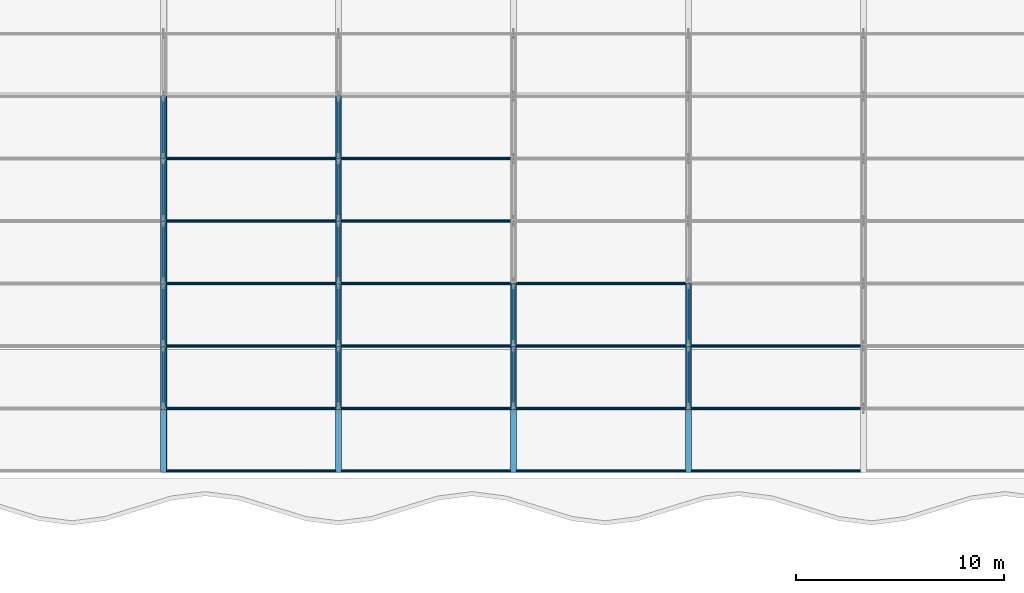
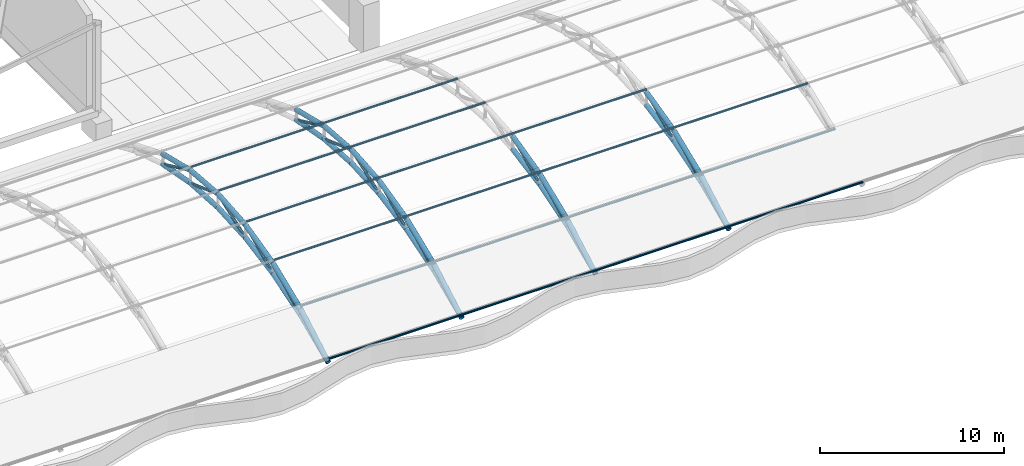
# One storey, part 46 of 163: 69 members.
"""IFC4 building model written with IfcOpenShell, lengths in metres."""

from ifc_helpers import new_model, si_unit, direction, frame, origin, origin_2d, place, context, subcontext, project, spatial, hollow_circle, extrude, material, material_profile, profile_set, type_object, element, save


model = new_model("IFC4")

# Units and contexts
model_context = context("Model", 3, precision=1e-05, world=origin(), true_north=direction((0.0, 1.0)))
body_context = subcontext(model_context, "Body", "Model", "MODEL_VIEW")
ifc_project = project(units=[si_unit("LENGTHUNIT", "METRE"), si_unit("AREAUNIT", "SQUARE_METRE"), si_unit("VOLUMEUNIT", "CUBIC_METRE"), si_unit("PLANEANGLEUNIT", "RADIAN"), si_unit("MASSUNIT", "GRAM", prefix="KILO")], contexts=[model_context])

# Site, building, storey
site_placement = place(None, origin())
site = spatial("IfcSite", under=ifc_project, at=site_placement, CompositionType="ELEMENT")
building_placement = place(site_placement, origin())
building = spatial("IfcBuilding", under=site, at=building_placement, Name="Rain Tree Exposition and Congress Centre", CompositionType="ELEMENT")
storey_placement = place(building_placement, frame((0.0, 0.0, 10.5)))
storey = spatial("IfcBuildingStorey", under=building, at=storey_placement, Name="L02", CompositionType="ELEMENT", Elevation=10.5)

# Members
ifc_material_1 = material(Name="Steel S355J2H", Category="steel")
ifc_material_profile_1 = material_profile(ifc_material_1, hollow_circle(Radius=0.090087890625, WallThickness=0.008056640625, at=origin_2d()), Name="CHS 180x8")
ifc_profile_set_1 = profile_set([ifc_material_profile_1], Name="Steel S355J2H")
member_type_1 = type_object("IfcMemberType", Name="Steel brace member CHS 180x8", PredefinedType="BRACE", material=ifc_profile_set_1)
member_1_placement = place(storey_placement, frame((126.0, 78.60009765625, 1.4423828125), z_axis=(0.0, 0.880818418444, 0.473454236151), x_axis=(-1.0, 0.0, 0.0)))
element("IfcMember", 1, at=member_1_placement, inside=storey, type_object=member_type_1, Name="Roof truss 16 diagonal 1", PredefinedType="BRACE", context=body_context, shape_type="SweptSolid", body=[
    extrude(hollow_circle(Radius=0.090087890625, WallThickness=0.008056640625, at=origin_2d()), origin(), (0.0, 0.0, 1.0), 3.406005859375),
])
member_2_placement = place(storey_placement, frame((126.0, 81.60009765625, 2.3798828125), z_axis=(0.0, 0.905430616583, 0.424494285655), x_axis=(-1.0, 0.0, 0.0)))
element("IfcMember", 2, at=member_2_placement, inside=storey, type_object=member_type_1, Name="Roof truss 16 diagonal 2", PredefinedType="BRACE", context=body_context, shape_type="SweptSolid", body=[
    extrude(hollow_circle(Radius=0.090087890625, WallThickness=0.008056640625, at=origin_2d()), origin(), (0.0, 0.0, 1.0), 3.313232421875),
])
for number, where, z_axis, x_axis, name in (
    (3, (126.0, 84.60009765625, 2.9423828125), (0.0, 0.940121356633, 0.340839896143), (-1.0, 0.0, 0.0), "Roof truss 16 diagonal 3"),
    (4, (126.0, 90.60009765625, 2.9423828125), (0.0, -0.940121356633, 0.340839896143), (1.0, 0.0, 0.0), "Roof truss 16 diagonal 4"),
):
    element("IfcMember", number, at=place(storey_placement, frame(where, z_axis=z_axis, x_axis=x_axis)), inside=storey, type_object=member_type_1, Name=name, PredefinedType="BRACE", context=body_context, shape_type="SweptSolid", body=[
        extrude(hollow_circle(Radius=0.090087890625, WallThickness=0.008056640625, at=origin_2d()), origin(), (0.0, 0.0, 1.0), 3.191162109375),
    ])
member_3_placement = place(storey_placement, frame((126.0, 93.60009765625, 2.3798828125), z_axis=(0.0, -0.905430616583, 0.424494285655), x_axis=(1.0, 0.0, 0.0)))
element("IfcMember", 5, at=member_3_placement, inside=storey, type_object=member_type_1, Name="Roof truss 16 diagonal 5", PredefinedType="BRACE", context=body_context, shape_type="SweptSolid", body=[
    extrude(hollow_circle(Radius=0.090087890625, WallThickness=0.008056640625, at=origin_2d()), origin(), (0.0, 0.0, 1.0), 3.313232421875),
])
member_4_placement = place(storey_placement, frame((134.39990234375, 78.60009765625, 1.4423828125), z_axis=(0.0, 0.880818418444, 0.473454236151), x_axis=(-1.0, 0.0, 0.0)))
element("IfcMember", 6, at=member_4_placement, inside=storey, type_object=member_type_1, Name="Roof truss 17 diagonal 1", PredefinedType="BRACE", context=body_context, shape_type="SweptSolid", body=[
    extrude(hollow_circle(Radius=0.090087890625, WallThickness=0.008056640625, at=origin_2d()), origin(), (0.0, 0.0, 1.0), 3.406005859375),
])
member_5_placement = place(storey_placement, frame((134.39990234375, 81.60009765625, 2.3798828125), z_axis=(0.0, 0.905430616583, 0.424494285655), x_axis=(-1.0, 0.0, 0.0)))
element("IfcMember", 7, at=member_5_placement, inside=storey, type_object=member_type_1, Name="Roof truss 17 diagonal 2", PredefinedType="BRACE", context=body_context, shape_type="SweptSolid", body=[
    extrude(hollow_circle(Radius=0.090087890625, WallThickness=0.008056640625, at=origin_2d()), origin(), (0.0, 0.0, 1.0), 3.313232421875),
])
for number, where, z_axis, x_axis, name in (
    (8, (134.39990234375, 84.60009765625, 2.9423828125), (0.0, 0.940121356633, 0.340839896143), (-1.0, 0.0, 0.0), "Roof truss 17 diagonal 3"),
    (9, (134.39990234375, 90.60009765625, 2.9423828125), (0.0, -0.940121356633, 0.340839896143), (1.0, 0.0, 0.0), "Roof truss 17 diagonal 4"),
):
    element("IfcMember", number, at=place(storey_placement, frame(where, z_axis=z_axis, x_axis=x_axis)), inside=storey, type_object=member_type_1, Name=name, PredefinedType="BRACE", context=body_context, shape_type="SweptSolid", body=[
        extrude(hollow_circle(Radius=0.090087890625, WallThickness=0.008056640625, at=origin_2d()), origin(), (0.0, 0.0, 1.0), 3.191162109375),
    ])
member_6_placement = place(storey_placement, frame((134.39990234375, 93.60009765625, 2.3798828125), z_axis=(0.0, -0.905430616583, 0.424494285655), x_axis=(1.0, 0.0, 0.0)))
element("IfcMember", 10, at=member_6_placement, inside=storey, type_object=member_type_1, Name="Roof truss 17 diagonal 5", PredefinedType="BRACE", context=body_context, shape_type="SweptSolid", body=[
    extrude(hollow_circle(Radius=0.090087890625, WallThickness=0.008056640625, at=origin_2d()), origin(), (0.0, 0.0, 1.0), 3.313232421875),
])
member_7_placement = place(storey_placement, frame((142.800048828125, 78.60009765625, 1.4423828125), z_axis=(0.0, 0.880818418444, 0.473454236151), x_axis=(-1.0, 0.0, 0.0)))
element("IfcMember", 11, at=member_7_placement, inside=storey, type_object=member_type_1, Name="Roof truss 18 diagonal 1", PredefinedType="BRACE", context=body_context, shape_type="SweptSolid", body=[
    extrude(hollow_circle(Radius=0.090087890625, WallThickness=0.008056640625, at=origin_2d()), origin(), (0.0, 0.0, 1.0), 3.406005859375),
])
member_8_placement = place(storey_placement, frame((142.800048828125, 81.60009765625, 2.3798828125), z_axis=(0.0, 0.905430616583, 0.424494285655), x_axis=(-1.0, 0.0, 0.0)))
element("IfcMember", 12, at=member_8_placement, inside=storey, type_object=member_type_1, Name="Roof truss 18 diagonal 2", PredefinedType="BRACE", context=body_context, shape_type="SweptSolid", body=[
    extrude(hollow_circle(Radius=0.090087890625, WallThickness=0.008056640625, at=origin_2d()), origin(), (0.0, 0.0, 1.0), 3.313232421875),
])
member_9_placement = place(storey_placement, frame((151.199951171875, 78.60009765625, 1.4423828125), z_axis=(0.0, 0.880818418444, 0.473454236151), x_axis=(-1.0, 0.0, 0.0)))
element("IfcMember", 13, at=member_9_placement, inside=storey, type_object=member_type_1, Name="Roof truss 19 diagonal 1", PredefinedType="BRACE", context=body_context, shape_type="SweptSolid", body=[
    extrude(hollow_circle(Radius=0.090087890625, WallThickness=0.008056640625, at=origin_2d()), origin(), (0.0, 0.0, 1.0), 3.406005859375),
])
member_10_placement = place(storey_placement, frame((151.199951171875, 81.60009765625, 2.3798828125), z_axis=(0.0, 0.905430616583, 0.424494285655), x_axis=(-1.0, 0.0, 0.0)))
element("IfcMember", 14, at=member_10_placement, inside=storey, type_object=member_type_1, Name="Roof truss 19 diagonal 2", PredefinedType="BRACE", context=body_context, shape_type="SweptSolid", body=[
    extrude(hollow_circle(Radius=0.090087890625, WallThickness=0.008056640625, at=origin_2d()), origin(), (0.0, 0.0, 1.0), 3.313232421875),
])
ifc_material_2 = material(Name="Steel S355J2H", Category="steel")
ifc_material_profile_2 = material_profile(ifc_material_2, hollow_circle(Radius=0.14990234375, WallThickness=0.013916015625, at=origin_2d()), Name="CHS 300x14")
ifc_profile_set_2 = profile_set([ifc_material_profile_2], Name="Steel S355J2H")
member_type_2 = type_object("IfcMemberType", Name="Steel chord member CHS 300x14", PredefinedType="CHORD", material=ifc_profile_set_2)
member_11_placement = place(storey_placement, frame((126.0, 75.60009765625, 0.1298828125), z_axis=(0.0, 0.869238262324, 0.494393409455), x_axis=(-1.0, 0.0, 0.0)))
element("IfcMember", 15, at=member_11_placement, inside=storey, type_object=member_type_2, Name="Roof truss 16 top chord 1", PredefinedType="CHORD", context=body_context, shape_type="SweptSolid", body=[
    extrude(hollow_circle(Radius=0.14990234375, WallThickness=0.013916015625, at=origin_2d()), origin(), (0.0, 0.0, 1.0), 3.451416015625),
])
member_12_placement = place(storey_placement, frame((126.0, 75.60009765625, 0.1298828125), z_axis=(0.0, 0.916157334902, 0.40081883402), x_axis=(-1.0, 0.0, 0.0)))
element("IfcMember", 16, at=member_12_placement, inside=storey, type_object=member_type_2, Name="Roof truss 16 bottom chord 1", PredefinedType="CHORD", context=body_context, shape_type="SweptSolid", body=[
    extrude(hollow_circle(Radius=0.14990234375, WallThickness=0.013916015625, at=origin_2d()), origin(), (0.0, 0.0, 1.0), 3.274658203125),
])
member_13_placement = place(storey_placement, frame((126.0, 78.60009765625, 1.836181640625), z_axis=(0.0, 0.926466577122, 0.376377046956), x_axis=(-1.0, 0.0, 0.0)))
element("IfcMember", 17, at=member_13_placement, inside=storey, type_object=member_type_2, Name="Roof truss 16 top chord 2", PredefinedType="CHORD", context=body_context, shape_type="SweptSolid", body=[
    extrude(hollow_circle(Radius=0.14990234375, WallThickness=0.013916015625, at=origin_2d()), origin(), (0.0, 0.0, 1.0), 3.238037109375),
])
member_14_placement = place(storey_placement, frame((126.0, 78.60009765625, 1.4423828125), z_axis=(0.0, 0.954479978035, 0.298274993136), x_axis=(-1.0, 0.0, 0.0)))
element("IfcMember", 18, at=member_14_placement, inside=storey, type_object=member_type_2, Name="Roof truss 16 bottom chord 2", PredefinedType="CHORD", context=body_context, shape_type="SweptSolid", body=[
    extrude(hollow_circle(Radius=0.14990234375, WallThickness=0.013916015625, at=origin_2d()), origin(), (0.0, 0.0, 1.0), 3.14306640625),
])
member_15_placement = place(storey_placement, frame((126.0, 81.60009765625, 3.054931640625), z_axis=(0.0, 0.971539868448, 0.236876094228), x_axis=(-1.0, 0.0, 0.0)))
element("IfcMember", 19, at=member_15_placement, inside=storey, type_object=member_type_2, Name="Roof truss 16 top chord 3", PredefinedType="CHORD", context=body_context, shape_type="SweptSolid", body=[
    extrude(hollow_circle(Radius=0.14990234375, WallThickness=0.013916015625, at=origin_2d()), origin(), (0.0, 0.0, 1.0), 3.087890625),
])
member_16_placement = place(storey_placement, frame((126.0, 81.60009765625, 2.3798828125), z_axis=(0.0, 0.982872186934, 0.18428853505), x_axis=(-1.0, 0.0, 0.0)))
element("IfcMember", 20, at=member_16_placement, inside=storey, type_object=member_type_2, Name="Roof truss 16 bottom chord 3", PredefinedType="CHORD", context=body_context, shape_type="SweptSolid", body=[
    extrude(hollow_circle(Radius=0.14990234375, WallThickness=0.013916015625, at=origin_2d()), origin(), (0.0, 0.0, 1.0), 3.05224609375),
])
member_17_placement = place(storey_placement, frame((126.0, 84.60009765625, 3.786376953125), z_axis=(0.0, 0.996718090462, 0.0809508996), x_axis=(-1.0, 0.0, 0.0)))
element("IfcMember", 21, at=member_17_placement, inside=storey, type_object=member_type_2, Name="Roof truss 16 top chord 4", PredefinedType="CHORD", context=body_context, shape_type="SweptSolid", body=[
    extrude(hollow_circle(Radius=0.14990234375, WallThickness=0.013916015625, at=origin_2d()), origin(), (0.0, 0.0, 1.0), 3.009765625),
])
member_18_placement = place(storey_placement, frame((126.0, 84.60009765625, 2.9423828125), z_axis=(0.0, 0.998052578483, 0.062378286155), x_axis=(-1.0, 0.0, 0.0)))
element("IfcMember", 22, at=member_18_placement, inside=storey, type_object=member_type_2, Name="Roof truss 16 bottom chord 4", PredefinedType="CHORD", context=body_context, shape_type="SweptSolid", body=[
    extrude(hollow_circle(Radius=0.14990234375, WallThickness=0.013916015625, at=origin_2d()), origin(), (0.0, 0.0, 1.0), 3.005859375),
])
member_19_placement = place(storey_placement, frame((126.0, 87.60009765625, 4.030029296875), z_axis=(0.0, 0.996718090462, -0.0809508996), x_axis=(-1.0, 0.0, 0.0)))
element("IfcMember", 23, at=member_19_placement, inside=storey, type_object=member_type_2, Name="Roof truss 16 top chord 5", PredefinedType="CHORD", context=body_context, shape_type="SweptSolid", body=[
    extrude(hollow_circle(Radius=0.14990234375, WallThickness=0.013916015625, at=origin_2d()), origin(), (0.0, 0.0, 1.0), 3.009765625),
])
member_20_placement = place(storey_placement, frame((126.0, 87.60009765625, 3.1298828125), z_axis=(0.0, 0.998052578483, -0.062378286155), x_axis=(-1.0, 0.0, 0.0)))
element("IfcMember", 24, at=member_20_placement, inside=storey, type_object=member_type_2, Name="Roof truss 16 bottom chord 5", PredefinedType="CHORD", context=body_context, shape_type="SweptSolid", body=[
    extrude(hollow_circle(Radius=0.14990234375, WallThickness=0.013916015625, at=origin_2d()), origin(), (0.0, 0.0, 1.0), 3.005859375),
])
member_21_placement = place(storey_placement, frame((126.0, 90.60009765625, 3.786376953125), z_axis=(0.0, 0.971539868448, -0.236876094228), x_axis=(-1.0, 0.0, 0.0)))
element("IfcMember", 25, at=member_21_placement, inside=storey, type_object=member_type_2, Name="Roof truss 16 top chord 6", PredefinedType="CHORD", context=body_context, shape_type="SweptSolid", body=[
    extrude(hollow_circle(Radius=0.14990234375, WallThickness=0.013916015625, at=origin_2d()), origin(), (0.0, 0.0, 1.0), 3.087890625),
])
member_22_placement = place(storey_placement, frame((126.0, 90.60009765625, 2.9423828125), z_axis=(0.0, 0.982872186934, -0.18428853505), x_axis=(-1.0, 0.0, 0.0)))
element("IfcMember", 26, at=member_22_placement, inside=storey, type_object=member_type_2, Name="Roof truss 16 bottom chord 6", PredefinedType="CHORD", context=body_context, shape_type="SweptSolid", body=[
    extrude(hollow_circle(Radius=0.14990234375, WallThickness=0.013916015625, at=origin_2d()), origin(), (0.0, 0.0, 1.0), 3.05224609375),
])
member_23_placement = place(storey_placement, frame((134.39990234375, 75.60009765625, 0.1298828125), z_axis=(0.0, 0.869238262324, 0.494393409455), x_axis=(-1.0, 0.0, 0.0)))
element("IfcMember", 27, at=member_23_placement, inside=storey, type_object=member_type_2, Name="Roof truss 17 top chord 1", PredefinedType="CHORD", context=body_context, shape_type="SweptSolid", body=[
    extrude(hollow_circle(Radius=0.14990234375, WallThickness=0.013916015625, at=origin_2d()), origin(), (0.0, 0.0, 1.0), 3.451416015625),
])
member_24_placement = place(storey_placement, frame((134.39990234375, 75.60009765625, 0.1298828125), z_axis=(0.0, 0.916157334902, 0.40081883402), x_axis=(-1.0, 0.0, 0.0)))
element("IfcMember", 28, at=member_24_placement, inside=storey, type_object=member_type_2, Name="Roof truss 17 bottom chord 1", PredefinedType="CHORD", context=body_context, shape_type="SweptSolid", body=[
    extrude(hollow_circle(Radius=0.14990234375, WallThickness=0.013916015625, at=origin_2d()), origin(), (0.0, 0.0, 1.0), 3.274658203125),
])
member_25_placement = place(storey_placement, frame((134.39990234375, 78.60009765625, 1.836181640625), z_axis=(0.0, 0.926466577122, 0.376377046956), x_axis=(-1.0, 0.0, 0.0)))
element("IfcMember", 29, at=member_25_placement, inside=storey, type_object=member_type_2, Name="Roof truss 17 top chord 2", PredefinedType="CHORD", context=body_context, shape_type="SweptSolid", body=[
    extrude(hollow_circle(Radius=0.14990234375, WallThickness=0.013916015625, at=origin_2d()), origin(), (0.0, 0.0, 1.0), 3.238037109375),
])
member_26_placement = place(storey_placement, frame((134.39990234375, 78.60009765625, 1.4423828125), z_axis=(0.0, 0.954479978035, 0.298274993136), x_axis=(-1.0, 0.0, 0.0)))
element("IfcMember", 30, at=member_26_placement, inside=storey, type_object=member_type_2, Name="Roof truss 17 bottom chord 2", PredefinedType="CHORD", context=body_context, shape_type="SweptSolid", body=[
    extrude(hollow_circle(Radius=0.14990234375, WallThickness=0.013916015625, at=origin_2d()), origin(), (0.0, 0.0, 1.0), 3.14306640625),
])
member_27_placement = place(storey_placement, frame((134.39990234375, 81.60009765625, 3.054931640625), z_axis=(0.0, 0.971539868448, 0.236876094228), x_axis=(-1.0, 0.0, 0.0)))
element("IfcMember", 31, at=member_27_placement, inside=storey, type_object=member_type_2, Name="Roof truss 17 top chord 3", PredefinedType="CHORD", context=body_context, shape_type="SweptSolid", body=[
    extrude(hollow_circle(Radius=0.14990234375, WallThickness=0.013916015625, at=origin_2d()), origin(), (0.0, 0.0, 1.0), 3.087890625),
])
member_28_placement = place(storey_placement, frame((134.39990234375, 81.60009765625, 2.3798828125), z_axis=(0.0, 0.982872186934, 0.18428853505), x_axis=(-1.0, 0.0, 0.0)))
element("IfcMember", 32, at=member_28_placement, inside=storey, type_object=member_type_2, Name="Roof truss 17 bottom chord 3", PredefinedType="CHORD", context=body_context, shape_type="SweptSolid", body=[
    extrude(hollow_circle(Radius=0.14990234375, WallThickness=0.013916015625, at=origin_2d()), origin(), (0.0, 0.0, 1.0), 3.05224609375),
])
member_29_placement = place(storey_placement, frame((134.39990234375, 84.60009765625, 3.786376953125), z_axis=(0.0, 0.996718090462, 0.0809508996), x_axis=(-1.0, 0.0, 0.0)))
element("IfcMember", 33, at=member_29_placement, inside=storey, type_object=member_type_2, Name="Roof truss 17 top chord 4", PredefinedType="CHORD", context=body_context, shape_type="SweptSolid", body=[
    extrude(hollow_circle(Radius=0.14990234375, WallThickness=0.013916015625, at=origin_2d()), origin(), (0.0, 0.0, 1.0), 3.009765625),
])
member_30_placement = place(storey_placement, frame((134.39990234375, 84.60009765625, 2.9423828125), z_axis=(0.0, 0.998052578483, 0.062378286155), x_axis=(-1.0, 0.0, 0.0)))
element("IfcMember", 34, at=member_30_placement, inside=storey, type_object=member_type_2, Name="Roof truss 17 bottom chord 4", PredefinedType="CHORD", context=body_context, shape_type="SweptSolid", body=[
    extrude(hollow_circle(Radius=0.14990234375, WallThickness=0.013916015625, at=origin_2d()), origin(), (0.0, 0.0, 1.0), 3.005859375),
])
member_31_placement = place(storey_placement, frame((134.39990234375, 87.60009765625, 4.030029296875), z_axis=(0.0, 0.996718090462, -0.0809508996), x_axis=(-1.0, 0.0, 0.0)))
element("IfcMember", 35, at=member_31_placement, inside=storey, type_object=member_type_2, Name="Roof truss 17 top chord 5", PredefinedType="CHORD", context=body_context, shape_type="SweptSolid", body=[
    extrude(hollow_circle(Radius=0.14990234375, WallThickness=0.013916015625, at=origin_2d()), origin(), (0.0, 0.0, 1.0), 3.009765625),
])
member_32_placement = place(storey_placement, frame((134.39990234375, 87.60009765625, 3.1298828125), z_axis=(0.0, 0.998052578483, -0.062378286155), x_axis=(-1.0, 0.0, 0.0)))
element("IfcMember", 36, at=member_32_placement, inside=storey, type_object=member_type_2, Name="Roof truss 17 bottom chord 5", PredefinedType="CHORD", context=body_context, shape_type="SweptSolid", body=[
    extrude(hollow_circle(Radius=0.14990234375, WallThickness=0.013916015625, at=origin_2d()), origin(), (0.0, 0.0, 1.0), 3.005859375),
])
member_33_placement = place(storey_placement, frame((134.39990234375, 90.60009765625, 3.786376953125), z_axis=(0.0, 0.971539868448, -0.236876094228), x_axis=(-1.0, 0.0, 0.0)))
element("IfcMember", 37, at=member_33_placement, inside=storey, type_object=member_type_2, Name="Roof truss 17 top chord 6", PredefinedType="CHORD", context=body_context, shape_type="SweptSolid", body=[
    extrude(hollow_circle(Radius=0.14990234375, WallThickness=0.013916015625, at=origin_2d()), origin(), (0.0, 0.0, 1.0), 3.087890625),
])
member_34_placement = place(storey_placement, frame((134.39990234375, 90.60009765625, 2.9423828125), z_axis=(0.0, 0.982872186934, -0.18428853505), x_axis=(-1.0, 0.0, 0.0)))
element("IfcMember", 38, at=member_34_placement, inside=storey, type_object=member_type_2, Name="Roof truss 17 bottom chord 6", PredefinedType="CHORD", context=body_context, shape_type="SweptSolid", body=[
    extrude(hollow_circle(Radius=0.14990234375, WallThickness=0.013916015625, at=origin_2d()), origin(), (0.0, 0.0, 1.0), 3.05224609375),
])
member_35_placement = place(storey_placement, frame((142.800048828125, 75.60009765625, 0.1298828125), z_axis=(0.0, 0.869238262324, 0.494393409455), x_axis=(-1.0, 0.0, 0.0)))
element("IfcMember", 39, at=member_35_placement, inside=storey, type_object=member_type_2, Name="Roof truss 18 top chord 1", PredefinedType="CHORD", context=body_context, shape_type="SweptSolid", body=[
    extrude(hollow_circle(Radius=0.14990234375, WallThickness=0.013916015625, at=origin_2d()), origin(), (0.0, 0.0, 1.0), 3.451416015625),
])
member_36_placement = place(storey_placement, frame((142.800048828125, 75.60009765625, 0.1298828125), z_axis=(0.0, 0.916157334902, 0.40081883402), x_axis=(-1.0, 0.0, 0.0)))
element("IfcMember", 40, at=member_36_placement, inside=storey, type_object=member_type_2, Name="Roof truss 18 bottom chord 1", PredefinedType="CHORD", context=body_context, shape_type="SweptSolid", body=[
    extrude(hollow_circle(Radius=0.14990234375, WallThickness=0.013916015625, at=origin_2d()), origin(), (0.0, 0.0, 1.0), 3.274658203125),
])
member_37_placement = place(storey_placement, frame((142.800048828125, 78.60009765625, 1.836181640625), z_axis=(0.0, 0.926466577122, 0.376377046956), x_axis=(-1.0, 0.0, 0.0)))
element("IfcMember", 41, at=member_37_placement, inside=storey, type_object=member_type_2, Name="Roof truss 18 top chord 2", PredefinedType="CHORD", context=body_context, shape_type="SweptSolid", body=[
    extrude(hollow_circle(Radius=0.14990234375, WallThickness=0.013916015625, at=origin_2d()), origin(), (0.0, 0.0, 1.0), 3.238037109375),
])
member_38_placement = place(storey_placement, frame((142.800048828125, 78.60009765625, 1.4423828125), z_axis=(0.0, 0.954479978035, 0.298274993136), x_axis=(-1.0, 0.0, 0.0)))
element("IfcMember", 42, at=member_38_placement, inside=storey, type_object=member_type_2, Name="Roof truss 18 bottom chord 2", PredefinedType="CHORD", context=body_context, shape_type="SweptSolid", body=[
    extrude(hollow_circle(Radius=0.14990234375, WallThickness=0.013916015625, at=origin_2d()), origin(), (0.0, 0.0, 1.0), 3.14306640625),
])
member_39_placement = place(storey_placement, frame((142.800048828125, 81.60009765625, 3.054931640625), z_axis=(0.0, 0.971539868448, 0.236876094228), x_axis=(-1.0, 0.0, 0.0)))
element("IfcMember", 43, at=member_39_placement, inside=storey, type_object=member_type_2, Name="Roof truss 18 top chord 3", PredefinedType="CHORD", context=body_context, shape_type="SweptSolid", body=[
    extrude(hollow_circle(Radius=0.14990234375, WallThickness=0.013916015625, at=origin_2d()), origin(), (0.0, 0.0, 1.0), 3.087890625),
])
member_40_placement = place(storey_placement, frame((142.800048828125, 81.60009765625, 2.3798828125), z_axis=(0.0, 0.982872186934, 0.18428853505), x_axis=(-1.0, 0.0, 0.0)))
element("IfcMember", 44, at=member_40_placement, inside=storey, type_object=member_type_2, Name="Roof truss 18 bottom chord 3", PredefinedType="CHORD", context=body_context, shape_type="SweptSolid", body=[
    extrude(hollow_circle(Radius=0.14990234375, WallThickness=0.013916015625, at=origin_2d()), origin(), (0.0, 0.0, 1.0), 3.05224609375),
])
member_41_placement = place(storey_placement, frame((151.199951171875, 75.60009765625, 0.1298828125), z_axis=(0.0, 0.869238262324, 0.494393409455), x_axis=(-1.0, 0.0, 0.0)))
element("IfcMember", 45, at=member_41_placement, inside=storey, type_object=member_type_2, Name="Roof truss 19 top chord 1", PredefinedType="CHORD", context=body_context, shape_type="SweptSolid", body=[
    extrude(hollow_circle(Radius=0.14990234375, WallThickness=0.013916015625, at=origin_2d()), origin(), (0.0, 0.0, 1.0), 3.451416015625),
])
member_42_placement = place(storey_placement, frame((151.199951171875, 75.60009765625, 0.1298828125), z_axis=(0.0, 0.916157334902, 0.40081883402), x_axis=(-1.0, 0.0, 0.0)))
element("IfcMember", 46, at=member_42_placement, inside=storey, type_object=member_type_2, Name="Roof truss 19 bottom chord 1", PredefinedType="CHORD", context=body_context, shape_type="SweptSolid", body=[
    extrude(hollow_circle(Radius=0.14990234375, WallThickness=0.013916015625, at=origin_2d()), origin(), (0.0, 0.0, 1.0), 3.274658203125),
])
member_43_placement = place(storey_placement, frame((151.199951171875, 78.60009765625, 1.836181640625), z_axis=(0.0, 0.926466577122, 0.376377046956), x_axis=(-1.0, 0.0, 0.0)))
element("IfcMember", 47, at=member_43_placement, inside=storey, type_object=member_type_2, Name="Roof truss 19 top chord 2", PredefinedType="CHORD", context=body_context, shape_type="SweptSolid", body=[
    extrude(hollow_circle(Radius=0.14990234375, WallThickness=0.013916015625, at=origin_2d()), origin(), (0.0, 0.0, 1.0), 3.238037109375),
])
member_44_placement = place(storey_placement, frame((151.199951171875, 78.60009765625, 1.4423828125), z_axis=(0.0, 0.954479978035, 0.298274993136), x_axis=(-1.0, 0.0, 0.0)))
element("IfcMember", 48, at=member_44_placement, inside=storey, type_object=member_type_2, Name="Roof truss 19 bottom chord 2", PredefinedType="CHORD", context=body_context, shape_type="SweptSolid", body=[
    extrude(hollow_circle(Radius=0.14990234375, WallThickness=0.013916015625, at=origin_2d()), origin(), (0.0, 0.0, 1.0), 3.14306640625),
])
member_45_placement = place(storey_placement, frame((151.199951171875, 81.60009765625, 3.054931640625), z_axis=(0.0, 0.971539868448, 0.236876094228), x_axis=(-1.0, 0.0, 0.0)))
element("IfcMember", 49, at=member_45_placement, inside=storey, type_object=member_type_2, Name="Roof truss 19 top chord 3", PredefinedType="CHORD", context=body_context, shape_type="SweptSolid", body=[
    extrude(hollow_circle(Radius=0.14990234375, WallThickness=0.013916015625, at=origin_2d()), origin(), (0.0, 0.0, 1.0), 3.087890625),
])
member_46_placement = place(storey_placement, frame((151.199951171875, 81.60009765625, 2.3798828125), z_axis=(0.0, 0.982872186934, 0.18428853505), x_axis=(-1.0, 0.0, 0.0)))
element("IfcMember", 50, at=member_46_placement, inside=storey, type_object=member_type_2, Name="Roof truss 19 bottom chord 3", PredefinedType="CHORD", context=body_context, shape_type="SweptSolid", body=[
    extrude(hollow_circle(Radius=0.14990234375, WallThickness=0.013916015625, at=origin_2d()), origin(), (0.0, 0.0, 1.0), 3.05224609375),
])
ifc_material_3 = material(Name="Steel S355J2H", Category="steel")
ifc_material_profile_3 = material_profile(ifc_material_3, hollow_circle(Radius=0.070068359375, WallThickness=0.006103515625, at=origin_2d()), Name="CHS 140x6")
ifc_profile_set_3 = profile_set([ifc_material_profile_3], Name="Steel S355J2H")
member_type_3 = type_object("IfcMemberType", Name="Steel purlin member CHS 140x6", PredefinedType="PURLIN", material=ifc_profile_set_3)
member_47_placement = place(storey_placement, frame((126.0, 75.60009765625, 0.35009765625), z_axis=(1.0, 0.0, 0.0), x_axis=(0.0, 1.0, 0.0)))
element("IfcMember", 51, at=member_47_placement, inside=storey, type_object=member_type_3, Name="Roof purlin 1.16", PredefinedType="PURLIN", context=body_context, shape_type="SweptSolid", body=[
    extrude(hollow_circle(Radius=0.070068359375, WallThickness=0.006103515625, at=origin_2d()), origin(), (0.0, 0.0, 1.0), 8.39990234375),
])
member_48_placement = place(storey_placement, frame((134.39990234375, 75.60009765625, 0.35009765625), z_axis=(1.0, 0.0, 0.0), x_axis=(0.0, 1.0, 0.0)))
element("IfcMember", 52, at=member_48_placement, inside=storey, type_object=member_type_3, Name="Roof purlin 1.17", PredefinedType="PURLIN", context=body_context, shape_type="SweptSolid", body=[
    extrude(hollow_circle(Radius=0.070068359375, WallThickness=0.006103515625, at=origin_2d()), origin(), (0.0, 0.0, 1.0), 8.400146484375),
])
member_49_placement = place(storey_placement, frame((142.800048828125, 75.60009765625, 0.35009765625), z_axis=(1.0, 0.0, 0.0), x_axis=(0.0, 1.0, 0.0)))
element("IfcMember", 53, at=member_49_placement, inside=storey, type_object=member_type_3, Name="Roof purlin 1.18", PredefinedType="PURLIN", context=body_context, shape_type="SweptSolid", body=[
    extrude(hollow_circle(Radius=0.070068359375, WallThickness=0.006103515625, at=origin_2d()), origin(), (0.0, 0.0, 1.0), 8.39990234375),
])
member_50_placement = place(storey_placement, frame((151.199951171875, 75.60009765625, 0.35009765625), z_axis=(1.0, 0.0, 0.0), x_axis=(0.0, 1.0, 0.0)))
element("IfcMember", 54, at=member_50_placement, inside=storey, type_object=member_type_3, Name="Roof purlin 1.19", PredefinedType="PURLIN", context=body_context, shape_type="SweptSolid", body=[
    extrude(hollow_circle(Radius=0.070068359375, WallThickness=0.006103515625, at=origin_2d()), origin(), (0.0, 0.0, 1.0), 8.400146484375),
])
member_51_placement = place(storey_placement, frame((126.0, 78.60009765625, 2.056396484375), z_axis=(1.0, 0.0, 0.0), x_axis=(0.0, 1.0, 0.0)))
element("IfcMember", 55, at=member_51_placement, inside=storey, type_object=member_type_3, Name="Roof purlin 2.16", PredefinedType="PURLIN", context=body_context, shape_type="SweptSolid", body=[
    extrude(hollow_circle(Radius=0.070068359375, WallThickness=0.006103515625, at=origin_2d()), origin(), (0.0, 0.0, 1.0), 8.39990234375),
])
member_52_placement = place(storey_placement, frame((134.39990234375, 78.60009765625, 2.056396484375), z_axis=(1.0, 0.0, 0.0), x_axis=(0.0, 1.0, 0.0)))
element("IfcMember", 56, at=member_52_placement, inside=storey, type_object=member_type_3, Name="Roof purlin 2.17", PredefinedType="PURLIN", context=body_context, shape_type="SweptSolid", body=[
    extrude(hollow_circle(Radius=0.070068359375, WallThickness=0.006103515625, at=origin_2d()), origin(), (0.0, 0.0, 1.0), 8.400146484375),
])
member_53_placement = place(storey_placement, frame((142.800048828125, 78.60009765625, 2.056396484375), z_axis=(1.0, 0.0, 0.0), x_axis=(0.0, 1.0, 0.0)))
element("IfcMember", 57, at=member_53_placement, inside=storey, type_object=member_type_3, Name="Roof purlin 2.18", PredefinedType="PURLIN", context=body_context, shape_type="SweptSolid", body=[
    extrude(hollow_circle(Radius=0.070068359375, WallThickness=0.006103515625, at=origin_2d()), origin(), (0.0, 0.0, 1.0), 8.39990234375),
])
member_54_placement = place(storey_placement, frame((151.199951171875, 78.60009765625, 2.056396484375), z_axis=(1.0, 0.0, 0.0), x_axis=(0.0, 1.0, 0.0)))
element("IfcMember", 58, at=member_54_placement, inside=storey, type_object=member_type_3, Name="Roof purlin 2.19", PredefinedType="PURLIN", context=body_context, shape_type="SweptSolid", body=[
    extrude(hollow_circle(Radius=0.070068359375, WallThickness=0.006103515625, at=origin_2d()), origin(), (0.0, 0.0, 1.0), 8.400146484375),
])
member_55_placement = place(storey_placement, frame((126.0, 81.60009765625, 3.27490234375), z_axis=(1.0, 0.0, 0.0), x_axis=(0.0, 1.0, 0.0)))
element("IfcMember", 59, at=member_55_placement, inside=storey, type_object=member_type_3, Name="Roof purlin 3.16", PredefinedType="PURLIN", context=body_context, shape_type="SweptSolid", body=[
    extrude(hollow_circle(Radius=0.070068359375, WallThickness=0.006103515625, at=origin_2d()), origin(), (0.0, 0.0, 1.0), 8.39990234375),
])
member_56_placement = place(storey_placement, frame((134.39990234375, 81.60009765625, 3.27490234375), z_axis=(1.0, 0.0, 0.0), x_axis=(0.0, 1.0, 0.0)))
element("IfcMember", 60, at=member_56_placement, inside=storey, type_object=member_type_3, Name="Roof purlin 3.17", PredefinedType="PURLIN", context=body_context, shape_type="SweptSolid", body=[
    extrude(hollow_circle(Radius=0.070068359375, WallThickness=0.006103515625, at=origin_2d()), origin(), (0.0, 0.0, 1.0), 8.400146484375),
])
member_57_placement = place(storey_placement, frame((142.800048828125, 81.60009765625, 3.27490234375), z_axis=(1.0, 0.0, 0.0), x_axis=(0.0, 1.0, 0.0)))
element("IfcMember", 61, at=member_57_placement, inside=storey, type_object=member_type_3, Name="Roof purlin 3.18", PredefinedType="PURLIN", context=body_context, shape_type="SweptSolid", body=[
    extrude(hollow_circle(Radius=0.070068359375, WallThickness=0.006103515625, at=origin_2d()), origin(), (0.0, 0.0, 1.0), 8.39990234375),
])
member_58_placement = place(storey_placement, frame((151.199951171875, 81.60009765625, 3.27490234375), z_axis=(1.0, 0.0, 0.0), x_axis=(0.0, 1.0, 0.0)))
element("IfcMember", 62, at=member_58_placement, inside=storey, type_object=member_type_3, Name="Roof purlin 3.19", PredefinedType="PURLIN", context=body_context, shape_type="SweptSolid", body=[
    extrude(hollow_circle(Radius=0.070068359375, WallThickness=0.006103515625, at=origin_2d()), origin(), (0.0, 0.0, 1.0), 8.400146484375),
])
member_59_placement = place(storey_placement, frame((126.0, 84.60009765625, 4.00634765625), z_axis=(1.0, 0.0, 0.0), x_axis=(0.0, 1.0, 0.0)))
element("IfcMember", 63, at=member_59_placement, inside=storey, type_object=member_type_3, Name="Roof purlin 4.16", PredefinedType="PURLIN", context=body_context, shape_type="SweptSolid", body=[
    extrude(hollow_circle(Radius=0.070068359375, WallThickness=0.006103515625, at=origin_2d()), origin(), (0.0, 0.0, 1.0), 8.39990234375),
])
member_60_placement = place(storey_placement, frame((134.39990234375, 84.60009765625, 4.00634765625), z_axis=(1.0, 0.0, 0.0), x_axis=(0.0, 1.0, 0.0)))
element("IfcMember", 64, at=member_60_placement, inside=storey, type_object=member_type_3, Name="Roof purlin 4.17", PredefinedType="PURLIN", context=body_context, shape_type="SweptSolid", body=[
    extrude(hollow_circle(Radius=0.070068359375, WallThickness=0.006103515625, at=origin_2d()), origin(), (0.0, 0.0, 1.0), 8.400146484375),
])
for number, where, z_axis, x_axis, name in (
    (65, (142.800048828125, 84.60009765625, 4.00634765625), (1.0, 0.0, 0.0), (0.0, 1.0, 0.0), "Roof purlin 4.18"),
    (66, (126.0, 87.60009765625, 4.25), (1.0, 0.0, 0.0), (0.0, 1.0, 0.0), "Roof purlin 5.16"),
):
    element("IfcMember", number, at=place(storey_placement, frame(where, z_axis=z_axis, x_axis=x_axis)), inside=storey, type_object=member_type_3, Name=name, PredefinedType="PURLIN", context=body_context, shape_type="SweptSolid", body=[
        extrude(hollow_circle(Radius=0.070068359375, WallThickness=0.006103515625, at=origin_2d()), origin(), (0.0, 0.0, 1.0), 8.39990234375),
    ])
member_61_placement = place(storey_placement, frame((134.39990234375, 87.60009765625, 4.25), z_axis=(1.0, 0.0, 0.0), x_axis=(0.0, 1.0, 0.0)))
element("IfcMember", 67, at=member_61_placement, inside=storey, type_object=member_type_3, Name="Roof purlin 5.17", PredefinedType="PURLIN", context=body_context, shape_type="SweptSolid", body=[
    extrude(hollow_circle(Radius=0.070068359375, WallThickness=0.006103515625, at=origin_2d()), origin(), (0.0, 0.0, 1.0), 8.400146484375),
])
member_62_placement = place(storey_placement, frame((126.0, 90.60009765625, 4.00634765625), z_axis=(1.0, 0.0, 0.0), x_axis=(0.0, 1.0, 0.0)))
element("IfcMember", 68, at=member_62_placement, inside=storey, type_object=member_type_3, Name="Roof purlin 6.16", PredefinedType="PURLIN", context=body_context, shape_type="SweptSolid", body=[
    extrude(hollow_circle(Radius=0.070068359375, WallThickness=0.006103515625, at=origin_2d()), origin(), (0.0, 0.0, 1.0), 8.39990234375),
])
member_63_placement = place(storey_placement, frame((134.39990234375, 90.60009765625, 4.00634765625), z_axis=(1.0, 0.0, 0.0), x_axis=(0.0, 1.0, 0.0)))
element("IfcMember", 69, at=member_63_placement, inside=storey, type_object=member_type_3, Name="Roof purlin 6.17", PredefinedType="PURLIN", context=body_context, shape_type="SweptSolid", body=[
    extrude(hollow_circle(Radius=0.070068359375, WallThickness=0.006103515625, at=origin_2d()), origin(), (0.0, 0.0, 1.0), 8.400146484375),
])

save(model, "model.ifc")
